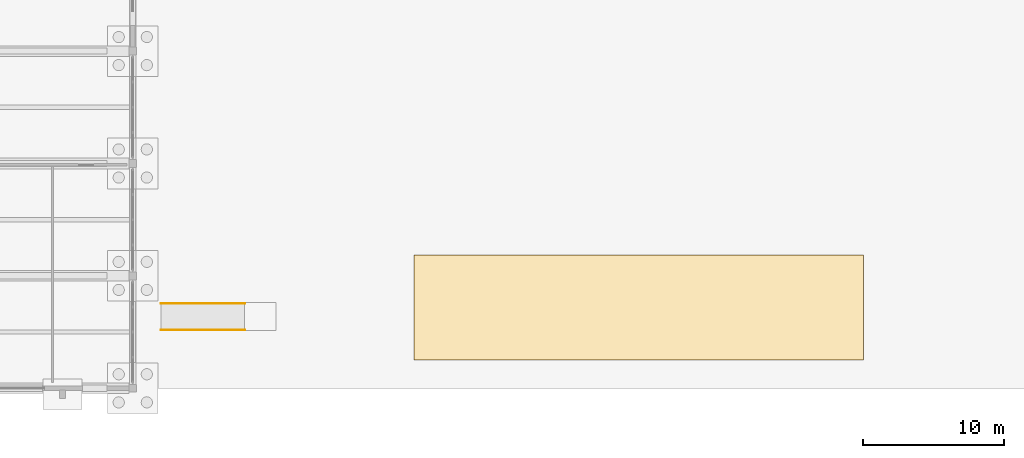
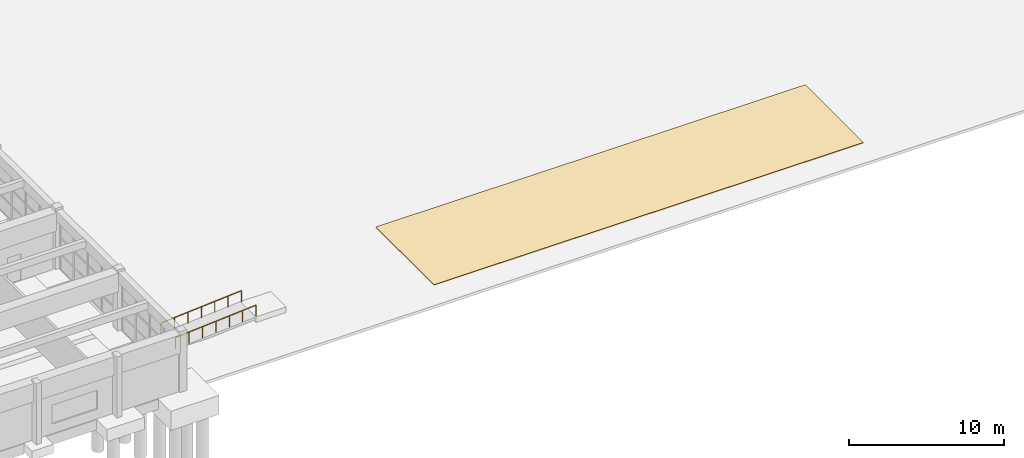
# One storey, part 57 of 68: 2 railings, 1 covering.
"""IFC4 building model written with IfcOpenShell, lengths in metres."""

from ifc_helpers import new_model, si_unit, direction, frame, origin, origin_2d, place, context, subcontext, project, spatial, polyline, rectangle, outline, extrude, material, layer, layer_set, type_object, element, save


model = new_model("IFC4")

# Units and contexts
model_context = context("Model", 3, precision=1e-05, world=origin(), true_north=direction((0.0, 1.0)))
body_context = subcontext(model_context, "Body", "Model", "MODEL_VIEW")
ifc_project = project(units=[si_unit("LENGTHUNIT", "METRE"), si_unit("AREAUNIT", "SQUARE_METRE"), si_unit("VOLUMEUNIT", "CUBIC_METRE"), si_unit("PLANEANGLEUNIT", "RADIAN"), si_unit("MASSUNIT", "GRAM", prefix="KILO")], contexts=[model_context])

# Site, building, storey
site_placement = place(None, origin())
site = spatial("IfcSite", under=ifc_project, at=site_placement, CompositionType="ELEMENT")
building_placement = place(site_placement, origin())
building = spatial("IfcBuilding", under=site, at=building_placement, Name="Serraluz Foothill Cableway Terminal", CompositionType="ELEMENT")
storey_placement = place(building_placement, origin())
storey = spatial("IfcBuildingStorey", under=building, at=storey_placement, Name="L00", CompositionType="ELEMENT", Elevation=0.0)

# Covering
ifc_material_1 = material(Name="Andean basalt ashlar masonry (f'm 18 MPa)", Category="masonry")
ifc_layer_1 = layer(ifc_material_1, 0.0400390625, Name="Andean basalt ashlar masonry (f'm 18 MPa)", Category="masonry")
ifc_layer_set_1 = layer_set([ifc_layer_1], Name="Andean basalt ashlar masonry (f'm 18 MPa)")
covering_type = type_object("IfcCoveringType", Name="TYP-COV-RDW-40", PredefinedType="USERDEFINED", material=ifc_layer_set_1)
covering_placement = place(storey_placement, origin())
element("IfcCovering", 1, at=covering_placement, inside=storey, type_object=covering_type, Name="South Plaza Passenger Drop-Off and Arrival Roadway", ObjectType="ROADWAY", PredefinedType="USERDEFINED", context=body_context, shape_type="SweptSolid", body=[
    extrude(outline(polyline([(36.0, 2.0), (68.0, 2.0), (68.0, 9.5), (36.0, 9.5), (36.0, 2.0)])), origin(), (0.0, 0.0, 1.0), 0.0400390625),
])

# Railings
ifc_material_2 = material(Name="Architectural bronze alloy C28000", Category="aluminium")
ifc_layer_2 = layer(ifc_material_2, 0.048095703125, Name="Architectural bronze alloy C28000", Category="aluminium")
ifc_layer_set_2 = layer_set([ifc_layer_2], Name="Architectural bronze alloy C28000")
railing_type = type_object("IfcRailingType", Name="TYP-RL-HND-920", PredefinedType="HANDRAIL", material=ifc_layer_set_2)
for number, where, name in (
    (2, (18.0, 6.0400390625, 0.0), "HANDRAIL RMP-02-L"),
    (3, (18.0, 4.159912109375, 0.0), "HANDRAIL RMP-02-R"),
):
    element("IfcRailing", number, at=place(storey_placement, frame(where)), inside=storey, type_object=railing_type, Name=name, PredefinedType="HANDRAIL", context=body_context, shape_type="SweptSolid", body=[
        extrude(rectangle(XDim=0.048095703125, YDim=0.048095703125, at=origin_2d()), frame((0.0, 0.0, 0.8759765625), z_axis=(0.997199915094, 0.0, 0.074781878398), x_axis=(0.0, 1.0, 0.0)), (0.0, 0.0, 1.0), 6.016845703125),
        extrude(rectangle(XDim=0.0439453125, YDim=0.0439453125, at=origin_2d()), origin(), (0.0, 0.0, 1.0), 0.851806640625),
        extrude(rectangle(XDim=0.0439453125, YDim=0.0439453125, at=origin_2d()), frame((1.0, 0.0, 0.074951171875)), (0.0, 0.0, 1.0), 0.851806640625),
        extrude(rectangle(XDim=0.0439453125, YDim=0.0439453125, at=origin_2d()), frame((2.0, 0.0, 0.14990234375)), (0.0, 0.0, 1.0), 0.851806640625),
        extrude(rectangle(XDim=0.0439453125, YDim=0.0439453125, at=origin_2d()), frame((3.0, 0.0, 0.22509765625)), (0.0, 0.0, 1.0), 0.851806640625),
        extrude(rectangle(XDim=0.0439453125, YDim=0.0439453125, at=origin_2d()), frame((4.0, 0.0, 0.300048828125)), (0.0, 0.0, 1.0), 0.851806640625),
        extrude(rectangle(XDim=0.0439453125, YDim=0.0439453125, at=origin_2d()), frame((5.0, 0.0, 0.375)), (0.0, 0.0, 1.0), 0.851806640625),
        extrude(rectangle(XDim=0.0439453125, YDim=0.0439453125, at=origin_2d()), frame((6.0, 0.0, 0.449951171875)), (0.0, 0.0, 1.0), 0.851806640625),
    ])

save(model, "model.ifc")
